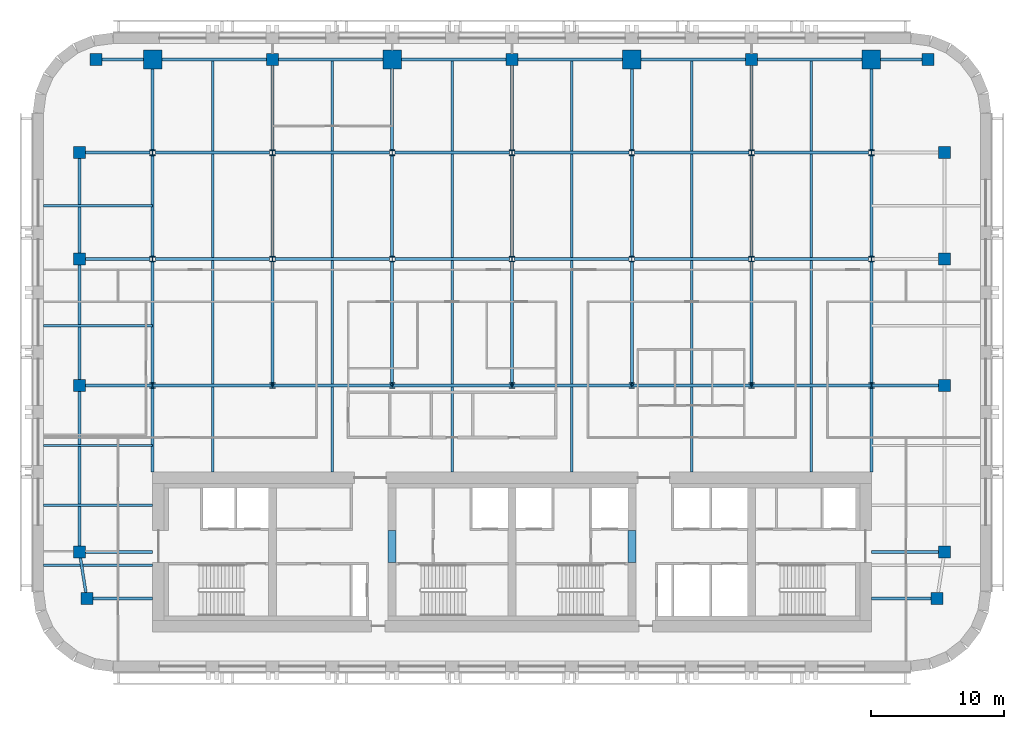
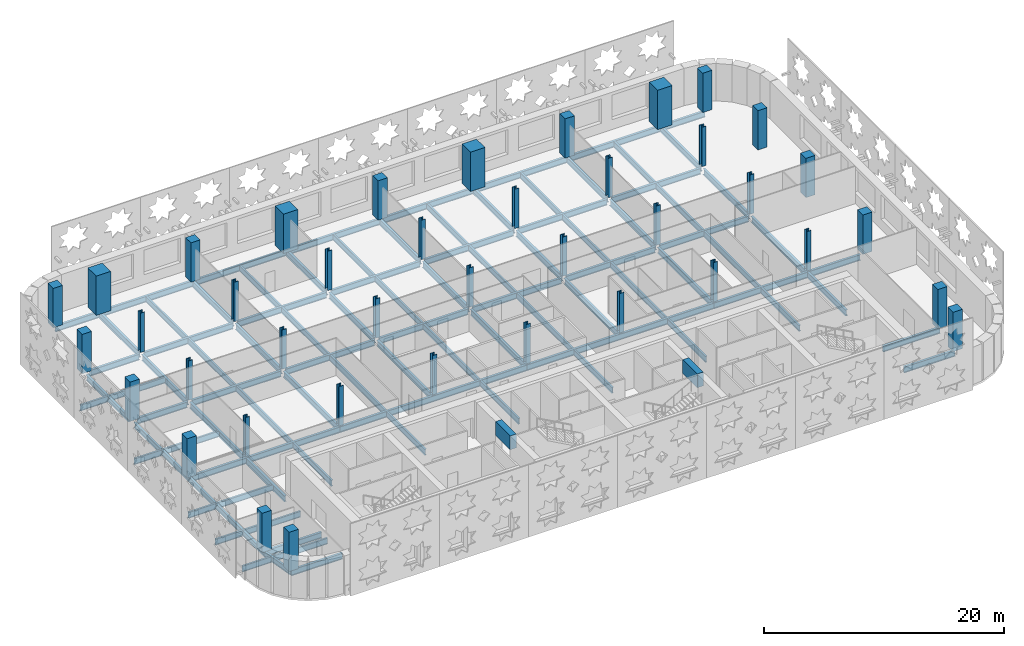
# One storey, part 1 of 12: 64 beams, 40 columns.
"""IFC4 building model written with IfcOpenShell, lengths in metres."""

from ifc_helpers import new_model, si_unit, direction, frame, origin, origin_2d, place, context, subcontext, project, spatial, rectangle, i_section, extrude, material, material_profile, profile_set, type_object, element, save


model = new_model("IFC4")

# Units and contexts
model_context = context("Model", 3, precision=1e-05, world=origin(), true_north=direction((0.0, 1.0)))
body_context = subcontext(model_context, "Body", "Model", "MODEL_VIEW")
ifc_project = project(units=[si_unit("LENGTHUNIT", "METRE"), si_unit("AREAUNIT", "SQUARE_METRE"), si_unit("VOLUMEUNIT", "CUBIC_METRE"), si_unit("PLANEANGLEUNIT", "RADIAN"), si_unit("MASSUNIT", "GRAM", prefix="KILO")], contexts=[model_context])

# Site, building, storey
site_placement = place(None, origin())
site = spatial("IfcSite", under=ifc_project, at=site_placement, CompositionType="ELEMENT")
building_placement = place(site_placement, origin())
building = spatial("IfcBuilding", under=site, at=building_placement, Name="Zellij Exchange Tower", CompositionType="ELEMENT")
storey_placement = place(building_placement, frame((0.0, 0.0, 204.5)))
storey = spatial("IfcBuildingStorey", under=building, at=storey_placement, Name="L47", CompositionType="ELEMENT", Elevation=204.5)

# Columns
ifc_material_1 = material(Name="Concrete C60/75", Category="concrete")
ifc_material_profile_1 = material_profile(ifc_material_1, rectangle(XDim=0.89990234375, YDim=0.89990234375, at=origin_2d()), Name="STR-COLUMN RC900x900 C60/75")
ifc_profile_set_1 = profile_set([ifc_material_profile_1], Name="Concrete C60/75")
column_type_1 = type_object("IfcColumnType", Name="STR-COLUMN RC900x900 C60/75", PredefinedType="COLUMN", material=ifc_profile_set_1)
for number, where, z_axis, x_axis, name in (
    (1, (-31.949951171875, -11.5, 0.0), (0.0, 0.0, 1.0), (1.0, 0.0, 0.0), "C16"),
    (2, (31.949951171875, -11.5, 0.0), (0.0, 0.0, 1.0), (1.0, 0.0, 0.0), "C16"),
    (3, (-32.5, -8.0, 0.0), (0.0, 0.0, 1.0), (1.0, 0.0, 0.0), "C16"),
    (4, (32.5, -8.0, 0.0), (0.0, 0.0, 1.0), (1.0, 0.0, 0.0), "C16"),
    (5, (-32.5, 4.5, 0.0), (0.0, 0.0, 1.0), (1.0, 0.0, 0.0), "C16"),
    (6, (32.5, 4.5, 0.0), (0.0, 0.0, 1.0), (1.0, 0.0, 0.0), "C16"),
    (7, (-32.5, 14.0, 0.0), (0.0, 0.0, 1.0), (1.0, 0.0, 0.0), "C16"),
    (8, (32.5, 14.0, 0.0), (0.0, 0.0, 1.0), (1.0, 0.0, 0.0), "C16"),
    (9, (-32.5, 22.0, 0.0), (0.0, 0.0, 1.0), (1.0, 0.0, 0.0), "C16"),
    (10, (32.5, 22.0, 0.0), (0.0, 0.0, 1.0), (1.0, 0.0, 0.0), "C16"),
    (11, (-31.25, 29.0, 0.0), (0.0, 0.0, 1.0), (1.0, 0.0, 0.0), "C16"),
    (12, (-18.0, 29.0, 0.0), (0.0, 0.0, 1.0), (1.0, 0.0, 0.0), "C16"),
    (13, (0.0, 29.0, 0.0), (0.0, 0.0, 1.0), (1.0, 0.0, 0.0), "C16"),
    (14, (18.0, 29.0, 0.0), (0.0, 0.0, 1.0), (1.0, 0.0, 0.0), "C16"),
    (15, (31.25, 29.0, 0.0), (0.0, 0.0, 1.0), (1.0, 0.0, 0.0), "C16"),
):
    element("IfcColumn", number, at=place(storey_placement, frame(where, z_axis=z_axis, x_axis=x_axis)), inside=storey, type_object=column_type_1, Name=name, PredefinedType="COLUMN", context=body_context, shape_type="SweptSolid", body=[
        extrude(rectangle(XDim=0.89990234375, YDim=0.89990234375, at=origin_2d()), origin(), (0.0, 0.0, 1.0), 4.0),
    ])
ifc_material_2 = material(Name="Structural steel ASTM A913 Gr 65", Category="steel")
ifc_material_profile_2 = material_profile(ifc_material_2, i_section(OverallWidth=0.408935546875, OverallDepth=0.424072265625, WebThickness=0.03271484375, FlangeThickness=0.052490234375, at=origin_2d()), Name="W14x283")
ifc_profile_set_2 = profile_set([ifc_material_profile_2], Name="Structural steel ASTM A913 Gr 65")
column_type_2 = type_object("IfcColumnType", Name="STR-COLUMN W14x283", PredefinedType="COLUMN", material=ifc_profile_set_2)
for number, where, z_axis, x_axis, name in (
    (16, (-27.0, 4.5, 0.0), (0.0, 0.0, 1.0), (1.0, 0.0, 0.0), "C3"),
    (17, (-18.0, 4.5, 0.0), (0.0, 0.0, 1.0), (1.0, 0.0, 0.0), "C3"),
    (18, (-9.0, 4.5, 0.0), (0.0, 0.0, 1.0), (1.0, 0.0, 0.0), "C3"),
    (19, (0.0, 4.5, 0.0), (0.0, 0.0, 1.0), (1.0, 0.0, 0.0), "C3"),
    (20, (9.0, 4.5, 0.0), (0.0, 0.0, 1.0), (1.0, 0.0, 0.0), "C3"),
    (21, (18.0, 4.5, 0.0), (0.0, 0.0, 1.0), (1.0, 0.0, 0.0), "C3"),
    (22, (27.0, 4.5, 0.0), (0.0, 0.0, 1.0), (1.0, 0.0, 0.0), "C3"),
    (23, (-27.0, 14.0, 0.0), (0.0, 0.0, 1.0), (1.0, 0.0, 0.0), "C3"),
    (24, (-18.0, 14.0, 0.0), (0.0, 0.0, 1.0), (1.0, 0.0, 0.0), "C3"),
    (25, (-9.0, 14.0, 0.0), (0.0, 0.0, 1.0), (1.0, 0.0, 0.0), "C3"),
    (26, (0.0, 14.0, 0.0), (0.0, 0.0, 1.0), (1.0, 0.0, 0.0), "C3"),
    (27, (9.0, 14.0, 0.0), (0.0, 0.0, 1.0), (1.0, 0.0, 0.0), "C3"),
    (28, (18.0, 14.0, 0.0), (0.0, 0.0, 1.0), (1.0, 0.0, 0.0), "C3"),
    (29, (27.0, 14.0, 0.0), (0.0, 0.0, 1.0), (1.0, 0.0, 0.0), "C3"),
    (30, (-27.0, 22.0, 0.0), (0.0, 0.0, 1.0), (1.0, 0.0, 0.0), "C3"),
    (31, (-18.0, 22.0, 0.0), (0.0, 0.0, 1.0), (1.0, 0.0, 0.0), "C3"),
    (32, (-9.0, 22.0, 0.0), (0.0, 0.0, 1.0), (1.0, 0.0, 0.0), "C3"),
    (33, (0.0, 22.0, 0.0), (0.0, 0.0, 1.0), (1.0, 0.0, 0.0), "C3"),
    (34, (9.0, 22.0, 0.0), (0.0, 0.0, 1.0), (1.0, 0.0, 0.0), "C3"),
    (35, (18.0, 22.0, 0.0), (0.0, 0.0, 1.0), (1.0, 0.0, 0.0), "C3"),
    (36, (27.0, 22.0, 0.0), (0.0, 0.0, 1.0), (1.0, 0.0, 0.0), "C3"),
):
    element("IfcColumn", number, at=place(storey_placement, frame(where, z_axis=z_axis, x_axis=x_axis)), inside=storey, type_object=column_type_2, Name=name, PredefinedType="COLUMN", context=body_context, shape_type="SweptSolid", body=[
        extrude(i_section(OverallWidth=0.408935546875, OverallDepth=0.424072265625, WebThickness=0.03271484375, FlangeThickness=0.052490234375, at=origin_2d()), origin(), (0.0, 0.0, 1.0), 4.0),
    ])
ifc_material_profile_3 = material_profile(ifc_material_1, rectangle(XDim=1.39990234375, YDim=1.39990234375, at=origin_2d()), Name="STR-MEGA COLUMN RC1400x1400 C60/75")
ifc_profile_set_3 = profile_set([ifc_material_profile_3], Name="Concrete C60/75")
column_type_3 = type_object("IfcColumnType", Name="STR-MEGA COLUMN RC1400x1400 C60/75", PredefinedType="COLUMN", material=ifc_profile_set_3)
for number, where, z_axis, x_axis, name in (
    (37, (-27.0, 29.0, 0.0), (0.0, 0.0, 1.0), (1.0, 0.0, 0.0), "MC3"),
    (38, (-9.0, 29.0, 0.0), (0.0, 0.0, 1.0), (1.0, 0.0, 0.0), "MC3"),
    (39, (9.0, 29.0, 0.0), (0.0, 0.0, 1.0), (1.0, 0.0, 0.0), "MC3"),
    (40, (27.0, 29.0, 0.0), (0.0, 0.0, 1.0), (1.0, 0.0, 0.0), "MC3"),
):
    element("IfcColumn", number, at=place(storey_placement, frame(where, z_axis=z_axis, x_axis=x_axis)), inside=storey, type_object=column_type_3, Name=name, PredefinedType="COLUMN", context=body_context, shape_type="SweptSolid", body=[
        extrude(rectangle(XDim=1.39990234375, YDim=1.39990234375, at=origin_2d()), origin(), (0.0, 0.0, 1.0), 4.0),
    ])

# Beams
ifc_material_profile_4 = material_profile(ifc_material_1, rectangle(XDim=0.60009765625, YDim=1.39990234375, at=origin_2d()), Name="CORE-CB 600x1400 C60/75")
ifc_profile_set_4 = profile_set([ifc_material_profile_4], Name="Concrete C60/75")
beam_type_1 = type_object("IfcBeamType", Name="CORE-CB 600x1400 C60/75", PredefinedType="BEAM", material=ifc_profile_set_4)
for number, where, z_axis, x_axis, name in (
    (41, (-9.0, -8.800048828125, 3.10009765625), (0.0, 1.0, 0.0), (-1.0, 0.0, 0.0), "Core coupling beam x -9 L47"),
    (42, (9.0, -8.800048828125, 3.10009765625), (0.0, 1.0, 0.0), (-1.0, 0.0, 0.0), "Core coupling beam x 9 L47"),
):
    element("IfcBeam", number, at=place(storey_placement, frame(where, z_axis=z_axis, x_axis=x_axis)), inside=storey, type_object=beam_type_1, Name=name, PredefinedType="BEAM", context=body_context, shape_type="SweptSolid", body=[
        extrude(rectangle(XDim=0.60009765625, YDim=1.39990234375, at=origin_2d()), origin(), (0.0, 0.0, 1.0), 2.425048828125),
    ])
ifc_material_3 = material(Name="Structural steel ASTM A992 Gr 50", Category="steel")
ifc_material_profile_5 = material_profile(ifc_material_3, i_section(OverallWidth=0.177978515625, OverallDepth=0.599365234375, WebThickness=0.010009765625, FlangeThickness=0.012939453125, at=origin_2d()), Name="W24x55")
ifc_profile_set_5 = profile_set([ifc_material_profile_5], Name="Structural steel ASTM A992 Gr 50")
beam_type_2 = type_object("IfcBeamType", Name="STR-BEAM W24x55", PredefinedType="BEAM", material=ifc_profile_set_5)
for number, where, z_axis, x_axis, name in (
    (43, (-22.5, -2.0, -0.499755859375), (0.0, 1.0, 0.0), (-1.0, 0.0, 0.0), "B4"),
    (44, (-13.5, -2.0, -0.499755859375), (0.0, 1.0, 0.0), (-1.0, 0.0, 0.0), "B4"),
    (45, (-4.5, -2.0, -0.499755859375), (0.0, 1.0, 0.0), (-1.0, 0.0, 0.0), "B4"),
    (46, (4.5, -2.0, -0.499755859375), (0.0, 1.0, 0.0), (-1.0, 0.0, 0.0), "B4"),
    (47, (13.5, -2.0, -0.499755859375), (0.0, 1.0, 0.0), (-1.0, 0.0, 0.0), "B4"),
    (48, (22.5, -2.0, -0.499755859375), (0.0, 1.0, 0.0), (-1.0, 0.0, 0.0), "B4"),
):
    element("IfcBeam", number, at=place(storey_placement, frame(where, z_axis=z_axis, x_axis=x_axis)), inside=storey, type_object=beam_type_2, Name=name, PredefinedType="BEAM", context=body_context, shape_type="SweptSolid", body=[
        extrude(i_section(OverallWidth=0.177978515625, OverallDepth=0.599365234375, WebThickness=0.010009765625, FlangeThickness=0.012939453125, at=origin_2d()), origin(), (0.0, 0.0, 1.0), 31.1142578125),
    ])
for number, where, z_axis, x_axis, name in (
    (49, (-35.199951171875, -9.0, -0.499755859375), (1.0, 0.0, 0.0), (0.0, 1.0, 0.0), "B4"),
    (50, (-35.199951171875, -4.5, -0.499755859375), (1.0, 0.0, 0.0), (0.0, 1.0, 0.0), "B4"),
    (51, (-35.199951171875, 0.0, -0.499755859375), (1.0, 0.0, 0.0), (0.0, 1.0, 0.0), "B4"),
    (52, (-35.199951171875, 9.0, -0.499755859375), (1.0, 0.0, 0.0), (0.0, 1.0, 0.0), "B4"),
    (53, (-35.199951171875, 18.0, -0.499755859375), (1.0, 0.0, 0.0), (0.0, 1.0, 0.0), "B4"),
):
    element("IfcBeam", number, at=place(storey_placement, frame(where, z_axis=z_axis, x_axis=x_axis)), inside=storey, type_object=beam_type_2, Name=name, PredefinedType="BEAM", context=body_context, shape_type="SweptSolid", body=[
        extrude(i_section(OverallWidth=0.177978515625, OverallDepth=0.599365234375, WebThickness=0.010009765625, FlangeThickness=0.012939453125, at=origin_2d()), origin(), (0.0, 0.0, 1.0), 8.199951171875),
    ])
ifc_material_profile_6 = material_profile(ifc_material_3, i_section(OverallWidth=0.209228515625, OverallDepth=0.533447265625, WebThickness=0.01025390625, FlangeThickness=0.015625, at=origin_2d()), Name="W21x62")
ifc_profile_set_6 = profile_set([ifc_material_profile_6], Name="Structural steel ASTM A992 Gr 50")
beam_type_3 = type_object("IfcBeamType", Name="STR-EDGE GIRDER W21x62", PredefinedType="BEAM", material=ifc_profile_set_6)
beam_1_placement = place(storey_placement, frame((-31.949951171875, -11.5, -0.466796875), z_axis=(-0.155251283593, 0.987875011802, 0.0), x_axis=(-0.987875011802, -0.155251283593, 0.0)))
element("IfcBeam", 54, at=beam_1_placement, inside=storey, type_object=beam_type_3, Name="EB3", PredefinedType="BEAM", context=body_context, shape_type="SweptSolid", body=[
    extrude(i_section(OverallWidth=0.209228515625, OverallDepth=0.533447265625, WebThickness=0.01025390625, FlangeThickness=0.015625, at=origin_2d()), origin(), (0.0, 0.0, 1.0), 3.54296875),
])
beam_2_placement = place(storey_placement, frame((-32.5, -8.0, -0.466796875), z_axis=(0.0, 1.0, 0.0), x_axis=(-1.0, 0.0, 0.0)))
element("IfcBeam", 55, at=beam_2_placement, inside=storey, type_object=beam_type_3, Name="EB3", PredefinedType="BEAM", context=body_context, shape_type="SweptSolid", body=[
    extrude(i_section(OverallWidth=0.209228515625, OverallDepth=0.533447265625, WebThickness=0.01025390625, FlangeThickness=0.015625, at=origin_2d()), origin(), (0.0, 0.0, 1.0), 12.5),
])
beam_3_placement = place(storey_placement, frame((-32.5, 4.5, -0.466796875), z_axis=(0.0, 1.0, 0.0), x_axis=(-1.0, 0.0, 0.0)))
element("IfcBeam", 56, at=beam_3_placement, inside=storey, type_object=beam_type_3, Name="EB3", PredefinedType="BEAM", context=body_context, shape_type="SweptSolid", body=[
    extrude(i_section(OverallWidth=0.209228515625, OverallDepth=0.533447265625, WebThickness=0.01025390625, FlangeThickness=0.015625, at=origin_2d()), origin(), (0.0, 0.0, 1.0), 9.050048828125),
])
beam_4_placement = place(storey_placement, frame((-32.5, 14.449951171875, -0.466796875), z_axis=(0.0, 1.0, 0.0), x_axis=(-1.0, 0.0, 0.0)))
element("IfcBeam", 57, at=beam_4_placement, inside=storey, type_object=beam_type_3, Name="EB3", PredefinedType="BEAM", context=body_context, shape_type="SweptSolid", body=[
    extrude(i_section(OverallWidth=0.209228515625, OverallDepth=0.533447265625, WebThickness=0.01025390625, FlangeThickness=0.015625, at=origin_2d()), origin(), (0.0, 0.0, 1.0), 7.10009765625),
])
ifc_material_profile_7 = material_profile(ifc_material_3, i_section(OverallWidth=0.228271484375, OverallDepth=0.607177734375, WebThickness=0.01123046875, FlangeThickness=0.017333984375, at=origin_2d()), Name="W24x76")
ifc_profile_set_7 = profile_set([ifc_material_profile_7], Name="Structural steel ASTM A992 Gr 50")
beam_type_4 = type_object("IfcBeamType", Name="STR-GIRDER W24x76", PredefinedType="BEAM", material=ifc_profile_set_7)
for number, where, z_axis, x_axis, name in (
    (58, (-31.949951171875, -11.5, -0.50341796875), (1.0, 0.0, 0.0), (0.0, 1.0, 0.0), "G2"),
    (59, (27.0, -11.5, -0.50341796875), (1.0, 0.0, 0.0), (0.0, 1.0, 0.0), "G2"),
):
    element("IfcBeam", number, at=place(storey_placement, frame(where, z_axis=z_axis, x_axis=x_axis)), inside=storey, type_object=beam_type_4, Name=name, PredefinedType="BEAM", context=body_context, shape_type="SweptSolid", body=[
        extrude(i_section(OverallWidth=0.228271484375, OverallDepth=0.607177734375, WebThickness=0.01123046875, FlangeThickness=0.017333984375, at=origin_2d()), origin(), (0.0, 0.0, 1.0), 4.949951171875),
    ])
for number, where, z_axis, x_axis, name in (
    (60, (-32.5, -8.0, -0.50341796875), (1.0, 0.0, 0.0), (0.0, 1.0, 0.0), "G2"),
    (61, (27.0, -8.0, -0.50341796875), (1.0, 0.0, 0.0), (0.0, 1.0, 0.0), "G2"),
):
    element("IfcBeam", number, at=place(storey_placement, frame(where, z_axis=z_axis, x_axis=x_axis)), inside=storey, type_object=beam_type_4, Name=name, PredefinedType="BEAM", context=body_context, shape_type="SweptSolid", body=[
        extrude(i_section(OverallWidth=0.228271484375, OverallDepth=0.607177734375, WebThickness=0.01123046875, FlangeThickness=0.017333984375, at=origin_2d()), origin(), (0.0, 0.0, 1.0), 5.5),
    ])
beam_5_placement = place(storey_placement, frame((-32.5, 4.5, -0.50341796875), z_axis=(1.0, 0.0, 0.0), x_axis=(0.0, 1.0, 0.0)))
element("IfcBeam", 62, at=beam_5_placement, inside=storey, type_object=beam_type_4, Name="G2", PredefinedType="BEAM", context=body_context, shape_type="SweptSolid", body=[
    extrude(i_section(OverallWidth=0.228271484375, OverallDepth=0.607177734375, WebThickness=0.01123046875, FlangeThickness=0.017333984375, at=origin_2d()), origin(), (0.0, 0.0, 1.0), 14.5),
])
for number, where, z_axis, x_axis, name in (
    (63, (-18.0, 4.5, -0.50341796875), (1.0, 0.0, 0.0), (0.0, 1.0, 0.0), "G2"),
    (64, (0.0, 4.5, -0.50341796875), (1.0, 0.0, 0.0), (0.0, 1.0, 0.0), "G2"),
):
    element("IfcBeam", number, at=place(storey_placement, frame(where, z_axis=z_axis, x_axis=x_axis)), inside=storey, type_object=beam_type_4, Name=name, PredefinedType="BEAM", context=body_context, shape_type="SweptSolid", body=[
        extrude(i_section(OverallWidth=0.228271484375, OverallDepth=0.607177734375, WebThickness=0.01123046875, FlangeThickness=0.017333984375, at=origin_2d()), origin(), (0.0, 0.0, 1.0), 18.0),
    ])
beam_6_placement = place(storey_placement, frame((18.0, 4.5, -0.50341796875), z_axis=(1.0, 0.0, 0.0), x_axis=(0.0, 1.0, 0.0)))
element("IfcBeam", 65, at=beam_6_placement, inside=storey, type_object=beam_type_4, Name="G2", PredefinedType="BEAM", context=body_context, shape_type="SweptSolid", body=[
    extrude(i_section(OverallWidth=0.228271484375, OverallDepth=0.607177734375, WebThickness=0.01123046875, FlangeThickness=0.017333984375, at=origin_2d()), origin(), (0.0, 0.0, 1.0), 14.050048828125),
])
beam_7_placement = place(storey_placement, frame((-32.050048828125, 14.0, -0.50341796875), z_axis=(1.0, 0.0, 0.0), x_axis=(0.0, 1.0, 0.0)))
element("IfcBeam", 66, at=beam_7_placement, inside=storey, type_object=beam_type_4, Name="G2", PredefinedType="BEAM", context=body_context, shape_type="SweptSolid", body=[
    extrude(i_section(OverallWidth=0.228271484375, OverallDepth=0.607177734375, WebThickness=0.01123046875, FlangeThickness=0.017333984375, at=origin_2d()), origin(), (0.0, 0.0, 1.0), 4.845458984375),
])
for number, where, z_axis, x_axis, name in (
    (67, (-26.79541015625, 14.0, -0.50341796875), (1.0, 0.0, 0.0), (0.0, 1.0, 0.0), "G2"),
    (68, (-17.79541015625, 14.0, -0.50341796875), (1.0, 0.0, 0.0), (0.0, 1.0, 0.0), "G2"),
    (69, (-8.79541015625, 14.0, -0.50341796875), (1.0, 0.0, 0.0), (0.0, 1.0, 0.0), "G2"),
    (70, (0.20458984375, 14.0, -0.50341796875), (1.0, 0.0, 0.0), (0.0, 1.0, 0.0), "G2"),
    (71, (9.20458984375, 14.0, -0.50341796875), (1.0, 0.0, 0.0), (0.0, 1.0, 0.0), "G2"),
    (72, (18.20458984375, 14.0, -0.50341796875), (1.0, 0.0, 0.0), (0.0, 1.0, 0.0), "G2"),
):
    element("IfcBeam", number, at=place(storey_placement, frame(where, z_axis=z_axis, x_axis=x_axis)), inside=storey, type_object=beam_type_4, Name=name, PredefinedType="BEAM", context=body_context, shape_type="SweptSolid", body=[
        extrude(i_section(OverallWidth=0.228271484375, OverallDepth=0.607177734375, WebThickness=0.01123046875, FlangeThickness=0.017333984375, at=origin_2d()), origin(), (0.0, 0.0, 1.0), 8.5908203125),
    ])
beam_8_placement = place(storey_placement, frame((-32.050048828125, 22.0, -0.50341796875), z_axis=(1.0, 0.0, 0.0), x_axis=(0.0, 1.0, 0.0)))
element("IfcBeam", 73, at=beam_8_placement, inside=storey, type_object=beam_type_4, Name="G2", PredefinedType="BEAM", context=body_context, shape_type="SweptSolid", body=[
    extrude(i_section(OverallWidth=0.228271484375, OverallDepth=0.607177734375, WebThickness=0.01123046875, FlangeThickness=0.017333984375, at=origin_2d()), origin(), (0.0, 0.0, 1.0), 4.845458984375),
])
for number, where, z_axis, x_axis, name in (
    (74, (-26.79541015625, 22.0, -0.50341796875), (1.0, 0.0, 0.0), (0.0, 1.0, 0.0), "G2"),
    (75, (-17.79541015625, 22.0, -0.50341796875), (1.0, 0.0, 0.0), (0.0, 1.0, 0.0), "G2"),
    (76, (-8.79541015625, 22.0, -0.50341796875), (1.0, 0.0, 0.0), (0.0, 1.0, 0.0), "G2"),
    (77, (0.20458984375, 22.0, -0.50341796875), (1.0, 0.0, 0.0), (0.0, 1.0, 0.0), "G2"),
    (78, (9.20458984375, 22.0, -0.50341796875), (1.0, 0.0, 0.0), (0.0, 1.0, 0.0), "G2"),
    (79, (18.20458984375, 22.0, -0.50341796875), (1.0, 0.0, 0.0), (0.0, 1.0, 0.0), "G2"),
):
    element("IfcBeam", number, at=place(storey_placement, frame(where, z_axis=z_axis, x_axis=x_axis)), inside=storey, type_object=beam_type_4, Name=name, PredefinedType="BEAM", context=body_context, shape_type="SweptSolid", body=[
        extrude(i_section(OverallWidth=0.228271484375, OverallDepth=0.607177734375, WebThickness=0.01123046875, FlangeThickness=0.017333984375, at=origin_2d()), origin(), (0.0, 0.0, 1.0), 8.5908203125),
    ])
beam_9_placement = place(storey_placement, frame((-31.25, 29.0, -0.50341796875), z_axis=(1.0, 0.0, 0.0), x_axis=(0.0, 1.0, 0.0)))
element("IfcBeam", 80, at=beam_9_placement, inside=storey, type_object=beam_type_4, Name="G2", PredefinedType="BEAM", context=body_context, shape_type="SweptSolid", body=[
    extrude(i_section(OverallWidth=0.228271484375, OverallDepth=0.607177734375, WebThickness=0.01123046875, FlangeThickness=0.017333984375, at=origin_2d()), origin(), (0.0, 0.0, 1.0), 13.25),
])
for number, where, z_axis, x_axis, name in (
    (81, (-18.0, 29.0, -0.50341796875), (1.0, 0.0, 0.0), (0.0, 1.0, 0.0), "G2"),
    (82, (0.0, 29.0, -0.50341796875), (1.0, 0.0, 0.0), (0.0, 1.0, 0.0), "G2"),
):
    element("IfcBeam", number, at=place(storey_placement, frame(where, z_axis=z_axis, x_axis=x_axis)), inside=storey, type_object=beam_type_4, Name=name, PredefinedType="BEAM", context=body_context, shape_type="SweptSolid", body=[
        extrude(i_section(OverallWidth=0.228271484375, OverallDepth=0.607177734375, WebThickness=0.01123046875, FlangeThickness=0.017333984375, at=origin_2d()), origin(), (0.0, 0.0, 1.0), 18.0),
    ])
beam_10_placement = place(storey_placement, frame((18.0, 29.0, -0.50341796875), z_axis=(1.0, 0.0, 0.0), x_axis=(0.0, 1.0, 0.0)))
element("IfcBeam", 83, at=beam_10_placement, inside=storey, type_object=beam_type_4, Name="G2", PredefinedType="BEAM", context=body_context, shape_type="SweptSolid", body=[
    extrude(i_section(OverallWidth=0.228271484375, OverallDepth=0.607177734375, WebThickness=0.01123046875, FlangeThickness=0.017333984375, at=origin_2d()), origin(), (0.0, 0.0, 1.0), 13.25),
])
beam_11_placement = place(storey_placement, frame((-27.0, -2.0, -0.50341796875), z_axis=(0.0, 1.0, 0.0), x_axis=(-1.0, 0.0, 0.0)))
element("IfcBeam", 84, at=beam_11_placement, inside=storey, type_object=beam_type_4, Name="G2", PredefinedType="BEAM", context=body_context, shape_type="SweptSolid", body=[
    extrude(i_section(OverallWidth=0.228271484375, OverallDepth=0.607177734375, WebThickness=0.01123046875, FlangeThickness=0.017333984375, at=origin_2d()), origin(), (0.0, 0.0, 1.0), 15.787841796875),
])
beam_12_placement = place(storey_placement, frame((-27.0, 14.212158203125, -0.50341796875), z_axis=(0.0, 1.0, 0.0), x_axis=(-1.0, 0.0, 0.0)))
element("IfcBeam", 85, at=beam_12_placement, inside=storey, type_object=beam_type_4, Name="G2", PredefinedType="BEAM", context=body_context, shape_type="SweptSolid", body=[
    extrude(i_section(OverallWidth=0.228271484375, OverallDepth=0.607177734375, WebThickness=0.01123046875, FlangeThickness=0.017333984375, at=origin_2d()), origin(), (0.0, 0.0, 1.0), 7.57568359375),
])
beam_13_placement = place(storey_placement, frame((-27.0, 22.212158203125, -0.50341796875), z_axis=(0.0, 1.0, 0.0), x_axis=(-1.0, 0.0, 0.0)))
element("IfcBeam", 86, at=beam_13_placement, inside=storey, type_object=beam_type_4, Name="G2", PredefinedType="BEAM", context=body_context, shape_type="SweptSolid", body=[
    extrude(i_section(OverallWidth=0.228271484375, OverallDepth=0.607177734375, WebThickness=0.01123046875, FlangeThickness=0.017333984375, at=origin_2d()), origin(), (0.0, 0.0, 1.0), 6.787841796875),
])
beam_14_placement = place(storey_placement, frame((-18.0, 4.5, -0.50341796875), z_axis=(0.0, 1.0, 0.0), x_axis=(-1.0, 0.0, 0.0)))
element("IfcBeam", 87, at=beam_14_placement, inside=storey, type_object=beam_type_4, Name="G2", PredefinedType="BEAM", context=body_context, shape_type="SweptSolid", body=[
    extrude(i_section(OverallWidth=0.228271484375, OverallDepth=0.607177734375, WebThickness=0.01123046875, FlangeThickness=0.017333984375, at=origin_2d()), origin(), (0.0, 0.0, 1.0), 9.287841796875),
])
beam_15_placement = place(storey_placement, frame((-18.0, 14.212158203125, -0.50341796875), z_axis=(0.0, 1.0, 0.0), x_axis=(-1.0, 0.0, 0.0)))
element("IfcBeam", 88, at=beam_15_placement, inside=storey, type_object=beam_type_4, Name="G2", PredefinedType="BEAM", context=body_context, shape_type="SweptSolid", body=[
    extrude(i_section(OverallWidth=0.228271484375, OverallDepth=0.607177734375, WebThickness=0.01123046875, FlangeThickness=0.017333984375, at=origin_2d()), origin(), (0.0, 0.0, 1.0), 7.57568359375),
])
beam_16_placement = place(storey_placement, frame((-18.0, 22.212158203125, -0.50341796875), z_axis=(0.0, 1.0, 0.0), x_axis=(-1.0, 0.0, 0.0)))
element("IfcBeam", 89, at=beam_16_placement, inside=storey, type_object=beam_type_4, Name="G2", PredefinedType="BEAM", context=body_context, shape_type="SweptSolid", body=[
    extrude(i_section(OverallWidth=0.228271484375, OverallDepth=0.607177734375, WebThickness=0.01123046875, FlangeThickness=0.017333984375, at=origin_2d()), origin(), (0.0, 0.0, 1.0), 6.787841796875),
])
beam_17_placement = place(storey_placement, frame((-9.0, 4.5, -0.50341796875), z_axis=(0.0, 1.0, 0.0), x_axis=(-1.0, 0.0, 0.0)))
element("IfcBeam", 90, at=beam_17_placement, inside=storey, type_object=beam_type_4, Name="G2", PredefinedType="BEAM", context=body_context, shape_type="SweptSolid", body=[
    extrude(i_section(OverallWidth=0.228271484375, OverallDepth=0.607177734375, WebThickness=0.01123046875, FlangeThickness=0.017333984375, at=origin_2d()), origin(), (0.0, 0.0, 1.0), 9.287841796875),
])
beam_18_placement = place(storey_placement, frame((-9.0, 14.212158203125, -0.50341796875), z_axis=(0.0, 1.0, 0.0), x_axis=(-1.0, 0.0, 0.0)))
element("IfcBeam", 91, at=beam_18_placement, inside=storey, type_object=beam_type_4, Name="G2", PredefinedType="BEAM", context=body_context, shape_type="SweptSolid", body=[
    extrude(i_section(OverallWidth=0.228271484375, OverallDepth=0.607177734375, WebThickness=0.01123046875, FlangeThickness=0.017333984375, at=origin_2d()), origin(), (0.0, 0.0, 1.0), 7.57568359375),
])
beam_19_placement = place(storey_placement, frame((-9.0, 22.212158203125, -0.50341796875), z_axis=(0.0, 1.0, 0.0), x_axis=(-1.0, 0.0, 0.0)))
element("IfcBeam", 92, at=beam_19_placement, inside=storey, type_object=beam_type_4, Name="G2", PredefinedType="BEAM", context=body_context, shape_type="SweptSolid", body=[
    extrude(i_section(OverallWidth=0.228271484375, OverallDepth=0.607177734375, WebThickness=0.01123046875, FlangeThickness=0.017333984375, at=origin_2d()), origin(), (0.0, 0.0, 1.0), 6.787841796875),
])
beam_20_placement = place(storey_placement, frame((0.0, 4.5, -0.50341796875), z_axis=(0.0, 1.0, 0.0), x_axis=(-1.0, 0.0, 0.0)))
element("IfcBeam", 93, at=beam_20_placement, inside=storey, type_object=beam_type_4, Name="G2", PredefinedType="BEAM", context=body_context, shape_type="SweptSolid", body=[
    extrude(i_section(OverallWidth=0.228271484375, OverallDepth=0.607177734375, WebThickness=0.01123046875, FlangeThickness=0.017333984375, at=origin_2d()), origin(), (0.0, 0.0, 1.0), 9.287841796875),
])
beam_21_placement = place(storey_placement, frame((0.0, 14.212158203125, -0.50341796875), z_axis=(0.0, 1.0, 0.0), x_axis=(-1.0, 0.0, 0.0)))
element("IfcBeam", 94, at=beam_21_placement, inside=storey, type_object=beam_type_4, Name="G2", PredefinedType="BEAM", context=body_context, shape_type="SweptSolid", body=[
    extrude(i_section(OverallWidth=0.228271484375, OverallDepth=0.607177734375, WebThickness=0.01123046875, FlangeThickness=0.017333984375, at=origin_2d()), origin(), (0.0, 0.0, 1.0), 7.57568359375),
])
beam_22_placement = place(storey_placement, frame((0.0, 22.212158203125, -0.50341796875), z_axis=(0.0, 1.0, 0.0), x_axis=(-1.0, 0.0, 0.0)))
element("IfcBeam", 95, at=beam_22_placement, inside=storey, type_object=beam_type_4, Name="G2", PredefinedType="BEAM", context=body_context, shape_type="SweptSolid", body=[
    extrude(i_section(OverallWidth=0.228271484375, OverallDepth=0.607177734375, WebThickness=0.01123046875, FlangeThickness=0.017333984375, at=origin_2d()), origin(), (0.0, 0.0, 1.0), 6.787841796875),
])
beam_23_placement = place(storey_placement, frame((9.0, 4.5, -0.50341796875), z_axis=(0.0, 1.0, 0.0), x_axis=(-1.0, 0.0, 0.0)))
element("IfcBeam", 96, at=beam_23_placement, inside=storey, type_object=beam_type_4, Name="G2", PredefinedType="BEAM", context=body_context, shape_type="SweptSolid", body=[
    extrude(i_section(OverallWidth=0.228271484375, OverallDepth=0.607177734375, WebThickness=0.01123046875, FlangeThickness=0.017333984375, at=origin_2d()), origin(), (0.0, 0.0, 1.0), 9.287841796875),
])
beam_24_placement = place(storey_placement, frame((9.0, 14.212158203125, -0.50341796875), z_axis=(0.0, 1.0, 0.0), x_axis=(-1.0, 0.0, 0.0)))
element("IfcBeam", 97, at=beam_24_placement, inside=storey, type_object=beam_type_4, Name="G2", PredefinedType="BEAM", context=body_context, shape_type="SweptSolid", body=[
    extrude(i_section(OverallWidth=0.228271484375, OverallDepth=0.607177734375, WebThickness=0.01123046875, FlangeThickness=0.017333984375, at=origin_2d()), origin(), (0.0, 0.0, 1.0), 7.57568359375),
])
beam_25_placement = place(storey_placement, frame((9.0, 22.212158203125, -0.50341796875), z_axis=(0.0, 1.0, 0.0), x_axis=(-1.0, 0.0, 0.0)))
element("IfcBeam", 98, at=beam_25_placement, inside=storey, type_object=beam_type_4, Name="G2", PredefinedType="BEAM", context=body_context, shape_type="SweptSolid", body=[
    extrude(i_section(OverallWidth=0.228271484375, OverallDepth=0.607177734375, WebThickness=0.01123046875, FlangeThickness=0.017333984375, at=origin_2d()), origin(), (0.0, 0.0, 1.0), 6.787841796875),
])
beam_26_placement = place(storey_placement, frame((18.0, 4.5, -0.50341796875), z_axis=(0.0, 1.0, 0.0), x_axis=(-1.0, 0.0, 0.0)))
element("IfcBeam", 99, at=beam_26_placement, inside=storey, type_object=beam_type_4, Name="G2", PredefinedType="BEAM", context=body_context, shape_type="SweptSolid", body=[
    extrude(i_section(OverallWidth=0.228271484375, OverallDepth=0.607177734375, WebThickness=0.01123046875, FlangeThickness=0.017333984375, at=origin_2d()), origin(), (0.0, 0.0, 1.0), 9.287841796875),
])
beam_27_placement = place(storey_placement, frame((18.0, 14.212158203125, -0.50341796875), z_axis=(0.0, 1.0, 0.0), x_axis=(-1.0, 0.0, 0.0)))
element("IfcBeam", 100, at=beam_27_placement, inside=storey, type_object=beam_type_4, Name="G2", PredefinedType="BEAM", context=body_context, shape_type="SweptSolid", body=[
    extrude(i_section(OverallWidth=0.228271484375, OverallDepth=0.607177734375, WebThickness=0.01123046875, FlangeThickness=0.017333984375, at=origin_2d()), origin(), (0.0, 0.0, 1.0), 7.57568359375),
])
beam_28_placement = place(storey_placement, frame((18.0, 22.212158203125, -0.50341796875), z_axis=(0.0, 1.0, 0.0), x_axis=(-1.0, 0.0, 0.0)))
element("IfcBeam", 101, at=beam_28_placement, inside=storey, type_object=beam_type_4, Name="G2", PredefinedType="BEAM", context=body_context, shape_type="SweptSolid", body=[
    extrude(i_section(OverallWidth=0.228271484375, OverallDepth=0.607177734375, WebThickness=0.01123046875, FlangeThickness=0.017333984375, at=origin_2d()), origin(), (0.0, 0.0, 1.0), 6.787841796875),
])
beam_29_placement = place(storey_placement, frame((27.0, -2.0, -0.50341796875), z_axis=(0.0, 1.0, 0.0), x_axis=(-1.0, 0.0, 0.0)))
element("IfcBeam", 102, at=beam_29_placement, inside=storey, type_object=beam_type_4, Name="G2", PredefinedType="BEAM", context=body_context, shape_type="SweptSolid", body=[
    extrude(i_section(OverallWidth=0.228271484375, OverallDepth=0.607177734375, WebThickness=0.01123046875, FlangeThickness=0.017333984375, at=origin_2d()), origin(), (0.0, 0.0, 1.0), 15.787841796875),
])
beam_30_placement = place(storey_placement, frame((27.0, 14.212158203125, -0.50341796875), z_axis=(0.0, 1.0, 0.0), x_axis=(-1.0, 0.0, 0.0)))
element("IfcBeam", 103, at=beam_30_placement, inside=storey, type_object=beam_type_4, Name="G2", PredefinedType="BEAM", context=body_context, shape_type="SweptSolid", body=[
    extrude(i_section(OverallWidth=0.228271484375, OverallDepth=0.607177734375, WebThickness=0.01123046875, FlangeThickness=0.017333984375, at=origin_2d()), origin(), (0.0, 0.0, 1.0), 7.57568359375),
])
beam_31_placement = place(storey_placement, frame((27.0, 22.212158203125, -0.50341796875), z_axis=(0.0, 1.0, 0.0), x_axis=(-1.0, 0.0, 0.0)))
element("IfcBeam", 104, at=beam_31_placement, inside=storey, type_object=beam_type_4, Name="G2", PredefinedType="BEAM", context=body_context, shape_type="SweptSolid", body=[
    extrude(i_section(OverallWidth=0.228271484375, OverallDepth=0.607177734375, WebThickness=0.01123046875, FlangeThickness=0.017333984375, at=origin_2d()), origin(), (0.0, 0.0, 1.0), 6.787841796875),
])

save(model, "model.ifc")
